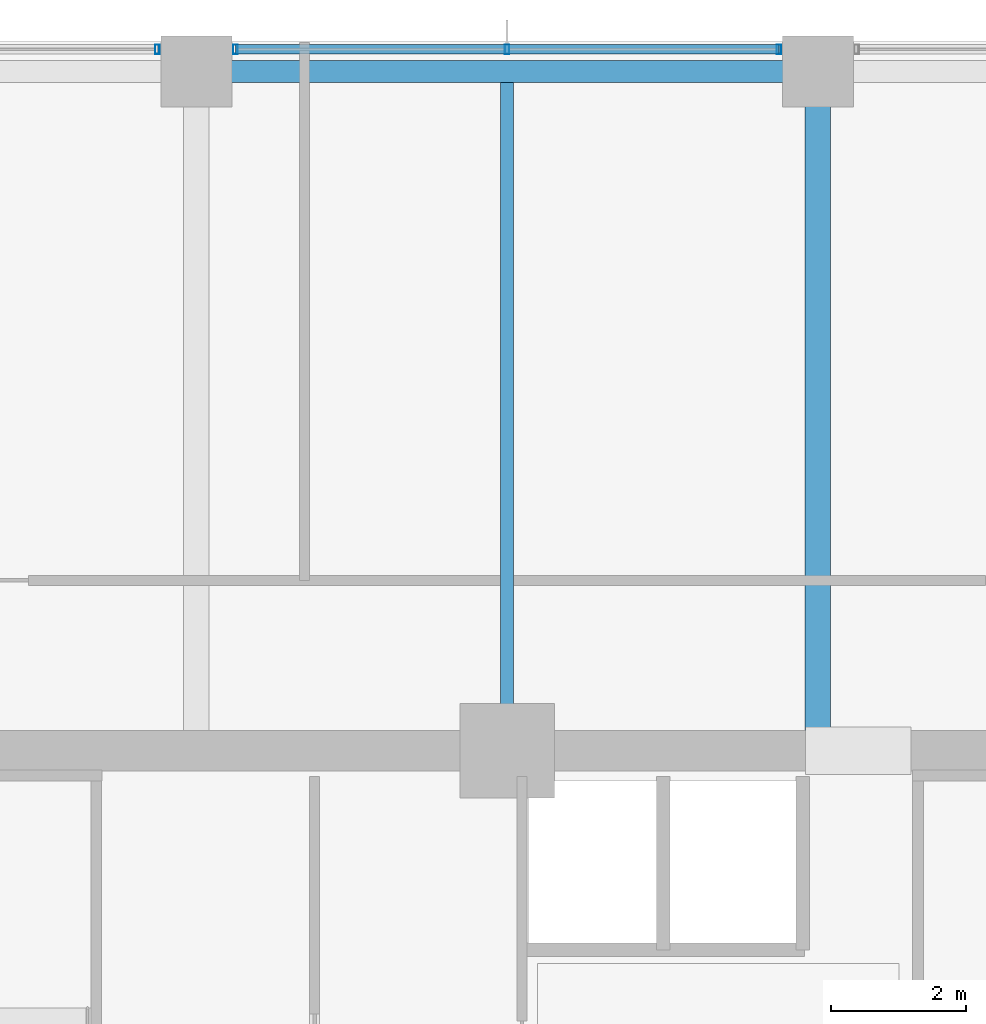
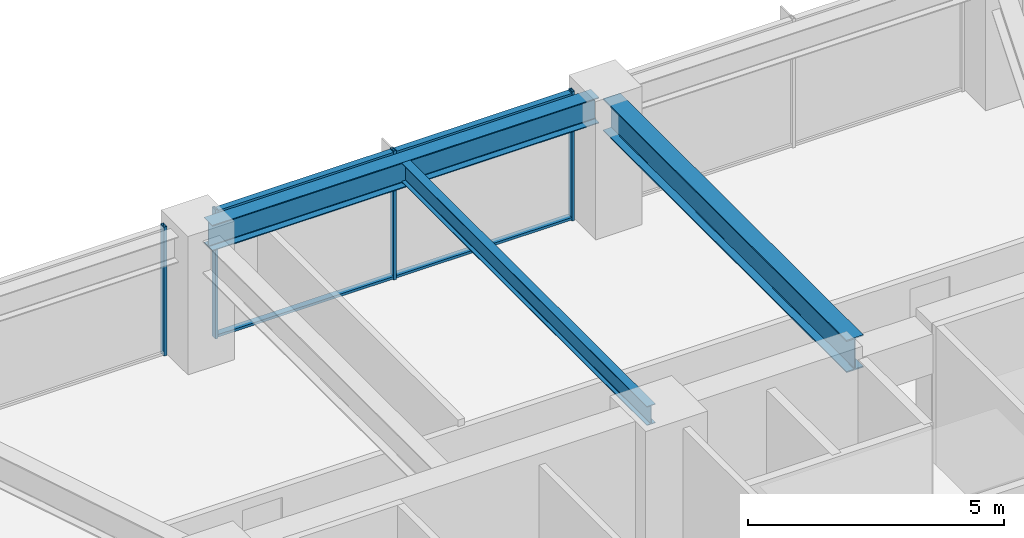
# One storey, part 21 of 36: 6 members, 3 beams, 2 elements without a shape of their own.
"""IFC4 building model written with IfcOpenShell, lengths in metres."""

from ifc_helpers import new_model, si_unit, direction, frame, origin, origin_2d, place, context, subcontext, project, spatial, hollow_rectangle, i_section, extrude, material, material_profile, profile_set, type_object, element, aggregate, save


model = new_model("IFC4")

# Units and contexts
model_context = context("Model", 3, precision=1e-05, world=origin(), true_north=direction((0.0, 1.0)))
body_context = subcontext(model_context, "Body", "Model", "MODEL_VIEW")
ifc_project = project(units=[si_unit("LENGTHUNIT", "METRE"), si_unit("AREAUNIT", "SQUARE_METRE"), si_unit("VOLUMEUNIT", "CUBIC_METRE"), si_unit("PLANEANGLEUNIT", "RADIAN"), si_unit("MASSUNIT", "GRAM", prefix="KILO")], contexts=[model_context])

# Site, building, storey
site_placement = place(None, origin())
site = spatial("IfcSite", under=ifc_project, at=site_placement, CompositionType="ELEMENT")
building_placement = place(site_placement, origin())
building = spatial("IfcBuilding", under=site, at=building_placement, Name="Kolvaren Belvedere", CompositionType="ELEMENT")
storey_placement = place(building_placement, frame((0.0, 0.0, 88.699951171875)))
storey = spatial("IfcBuildingStorey", under=building, at=storey_placement, Name="L25", CompositionType="ELEMENT", Elevation=88.699951171875)

# Beams
ifc_material_1 = material(Name="Structural steel ASTM A992 Grade 50", Category="steel")
ifc_material_profile_1 = material_profile(ifc_material_1, i_section(OverallWidth=0.381103515625, OverallDepth=0.77294921875, WebThickness=0.0166015625, FlangeThickness=0.027099609375, FilletRadius=0.02392578125, at=origin_2d()), Name="W30X173")
ifc_profile_set_1 = profile_set([ifc_material_profile_1], Name="Structural steel ASTM A992 Grade 50")
beam_type_1 = type_object("IfcBeamType", Name="BM-GIRD-W30X173", PredefinedType="BEAM", material=ifc_profile_set_1)
beam_1_placement = place(storey_placement, frame((4.60009765625, 10.199951171875, 2.693603515625), z_axis=(0.0, 1.0, 0.0), x_axis=(-1.0, 0.0, 0.0)))
element("IfcBeam", 1, at=beam_1_placement, inside=storey, type_object=beam_type_1, Name="L25 North Radial Girder P", PredefinedType="BEAM", context=body_context, shape_type="SweptSolid", body=[
    extrude(i_section(OverallWidth=0.381103515625, OverallDepth=0.77294921875, WebThickness=0.0166015625, FlangeThickness=0.027099609375, FilletRadius=0.02392578125, at=origin_2d()), origin(), (0.0, 0.0, 1.0), 9.513916015625),
])
ifc_material_2 = material(Name="Structural steel ASTM A992 Grade 50", Category="steel")
ifc_material_profile_2 = material_profile(ifc_material_2, i_section(OverallWidth=0.19091796875, OverallDepth=0.4599609375, WebThickness=0.010009765625, FlangeThickness=0.01611328125, FilletRadius=0.014892578125, at=origin_2d()), Name="W18X55")
ifc_profile_set_2 = profile_set([ifc_material_profile_2], Name="Structural steel ASTM A992 Grade 50")
beam_type_2 = type_object("IfcBeamType", Name="BM-JOIST-W18X55", PredefinedType="BEAM", material=ifc_profile_set_2)
beam_2_placement = place(storey_placement, frame((0.0, 10.199951171875, 2.85009765625), z_axis=(0.0, 1.0, 0.0), x_axis=(-1.0, 0.0, 0.0)))
element("IfcBeam", 2, at=beam_2_placement, inside=storey, type_object=beam_type_2, Name="L25 North Centre Floor Beam", PredefinedType="BEAM", context=body_context, shape_type="SweptSolid", body=[
    extrude(i_section(OverallWidth=0.19091796875, OverallDepth=0.4599609375, WebThickness=0.010009765625, FlangeThickness=0.01611328125, FilletRadius=0.014892578125, at=origin_2d()), origin(), (0.0, 0.0, 1.0), 9.587646484375),
])
ifc_material_3 = material(Name="Structural steel ASTM A992 Grade 50", Category="steel")
ifc_material_profile_3 = material_profile(ifc_material_3, i_section(OverallWidth=0.324951171875, OverallDepth=0.615966796875, WebThickness=0.013916015625, FlangeThickness=0.021484375, FilletRadius=0.02001953125, at=origin_2d()), Name="W24X117")
ifc_profile_set_3 = profile_set([ifc_material_profile_3], Name="Structural steel ASTM A992 Grade 50")
beam_type_3 = type_object("IfcBeamType", Name="BM-SPAN-W24X117", PredefinedType="SPANDREL", material=ifc_profile_set_3)
beam_3_placement = place(storey_placement, frame((4.36376953125, 19.949951171875, 2.77197265625), z_axis=(-1.0, 0.0, 0.0), x_axis=(0.0, -1.0, 0.0)))
element("IfcBeam", 3, at=beam_3_placement, inside=storey, type_object=beam_type_3, Name="L25 Perimeter Spandrel N3-N2", PredefinedType="SPANDREL", context=body_context, shape_type="SweptSolid", body=[
    extrude(i_section(OverallWidth=0.324951171875, OverallDepth=0.615966796875, WebThickness=0.013916015625, FlangeThickness=0.021484375, FilletRadius=0.02001953125, at=origin_2d()), origin(), (0.0, 0.0, 1.0), 8.7275390625),
])

# Curtain wall, member
ifc_material_4 = material(Name="Anodised pale-metal aluminium AA 6063-T6", Category="aluminium")
curtain_wall_type = type_object("IfcCurtainWallType", Name="CW-Z2-MID", PredefinedType="NOTDEFINED", material=ifc_material_4)
curtain_wall_1_placement = place(storey_placement, origin())
curtain_wall_1 = element("IfcCurtainWall", 4, at=curtain_wall_1_placement, inside=storey, type_object=curtain_wall_type, Name="L25 Unitised Curtain Wall FCW-L25-N-B1", PredefinedType="NOTDEFINED")
ifc_material_5 = material(Name="Anodised pale-metal aluminium AA 6063-T6", Category="aluminium")
ifc_material_profile_4 = material_profile(ifc_material_5, hollow_rectangle(XDim=0.06494140625, YDim=0.139892578125, WallThickness=0.00390625, at=origin_2d()), Name="ALU-MUL-140X65")
ifc_profile_set_4 = profile_set([ifc_material_profile_4], Name="Anodised pale-metal aluminium AA 6063-T6")
member_type_1 = type_object("IfcMemberType", Name="CW-MUL-140", PredefinedType="MULLION", material=ifc_profile_set_4)
member_1_placement = place(storey_placement, frame((-5.177490234375, 20.280029296875, 0.0), z_axis=(0.0, 0.0, 1.0), x_axis=(1.0, 0.0, 0.0)))
member_1 = element("IfcMember", 5, at=member_1_placement, type_object=member_type_1, Name="FCW-L25-N-B1 Unitised Mullion 3", PredefinedType="MULLION", context=body_context, shape_type="SweptSolid", body=[
    extrude(hollow_rectangle(XDim=0.06494140625, YDim=0.139892578125, WallThickness=0.00390625, at=origin_2d()), origin(), (0.0, 0.0, 1.0), 3.080078125),
])
aggregate(curtain_wall_1, [member_1])

# Curtain wall, members
curtain_wall_2_placement = place(storey_placement, origin())
curtain_wall_2 = element("IfcCurtainWall", 6, at=curtain_wall_2_placement, inside=storey, type_object=curtain_wall_type, Name="L25 Unitised Curtain Wall FCW-L25-N-B2", PredefinedType="NOTDEFINED")
member_2_placement = place(storey_placement, frame((-4.0224609375, 20.280029296875, 0.0), z_axis=(0.0, 0.0, 1.0), x_axis=(1.0, 0.0, 0.0)))
member_2 = element("IfcMember", 7, at=member_2_placement, type_object=member_type_1, Name="FCW-L25-N-B2 Unitised Mullion 1", PredefinedType="MULLION", context=body_context, shape_type="SweptSolid", body=[
    extrude(hollow_rectangle(XDim=0.06494140625, YDim=0.139892578125, WallThickness=0.00390625, at=origin_2d()), origin(), (0.0, 0.0, 1.0), 3.080078125),
])
member_3_placement = place(storey_placement, frame((0.0, 20.280029296875, 0.0), z_axis=(0.0, 0.0, 1.0), x_axis=(1.0, 0.0, 0.0)))
member_3 = element("IfcMember", 8, at=member_3_placement, type_object=member_type_1, Name="FCW-L25-N-B2 Unitised Mullion 2", PredefinedType="MULLION", context=body_context, shape_type="SweptSolid", body=[
    extrude(hollow_rectangle(XDim=0.06494140625, YDim=0.139892578125, WallThickness=0.00390625, at=origin_2d()), origin(), (0.0, 0.0, 1.0), 3.080078125),
])
member_4_placement = place(storey_placement, frame((4.0224609375, 20.280029296875, 0.0), z_axis=(0.0, 0.0, 1.0), x_axis=(1.0, 0.0, 0.0)))
member_4 = element("IfcMember", 9, at=member_4_placement, type_object=member_type_1, Name="FCW-L25-N-B2 Unitised Mullion 3", PredefinedType="MULLION", context=body_context, shape_type="SweptSolid", body=[
    extrude(hollow_rectangle(XDim=0.06494140625, YDim=0.139892578125, WallThickness=0.00390625, at=origin_2d()), origin(), (0.0, 0.0, 1.0), 3.080078125),
])
ifc_material_6 = material(Name="Anodised pale-metal aluminium AA 6063-T6", Category="aluminium")
ifc_material_profile_5 = material_profile(ifc_material_6, hollow_rectangle(XDim=0.06005859375, YDim=0.139892578125, WallThickness=0.00390625, at=origin_2d()), Name="ALU-TRN-140X60")
ifc_profile_set_5 = profile_set([ifc_material_profile_5], Name="Anodised pale-metal aluminium AA 6063-T6")
member_type_2 = type_object("IfcMemberType", Name="CW-TRN-140", PredefinedType="USERDEFINED", material=ifc_profile_set_5)
member_5_placement = place(storey_placement, frame((-4.0224609375, 20.280029296875, 0.06005859375), z_axis=(1.0, 0.0, 0.0), x_axis=(0.0, 0.0, 1.0)))
member_5 = element("IfcMember", 10, at=member_5_placement, type_object=member_type_2, Name="FCW-L25-N-B2 Sill Transom", ObjectType="TRANSOM", PredefinedType="USERDEFINED", context=body_context, shape_type="SweptSolid", body=[
    extrude(hollow_rectangle(XDim=0.06005859375, YDim=0.139892578125, WallThickness=0.00390625, at=origin_2d()), origin(), (0.0, 0.0, 1.0), 8.044921875),
])
member_6_placement = place(storey_placement, frame((-4.0224609375, 20.280029296875, 3.02001953125), z_axis=(1.0, 0.0, 0.0), x_axis=(0.0, 0.0, 1.0)))
member_6 = element("IfcMember", 11, at=member_6_placement, type_object=member_type_2, Name="FCW-L25-N-B2 Head Transom", ObjectType="TRANSOM", PredefinedType="USERDEFINED", context=body_context, shape_type="SweptSolid", body=[
    extrude(hollow_rectangle(XDim=0.06005859375, YDim=0.139892578125, WallThickness=0.00390625, at=origin_2d()), origin(), (0.0, 0.0, 1.0), 8.044921875),
])
aggregate(curtain_wall_2, [member_2, member_3, member_4, member_5, member_6])

save(model, "model.ifc")
